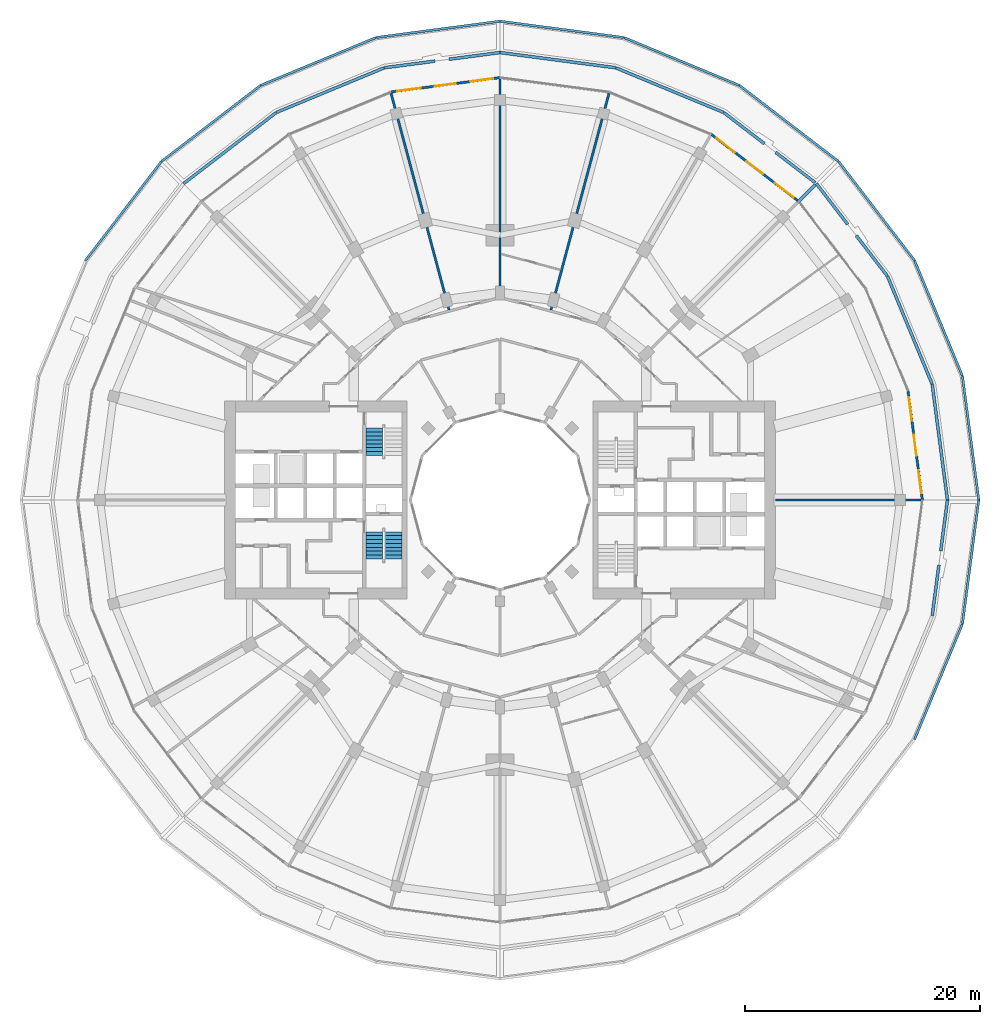
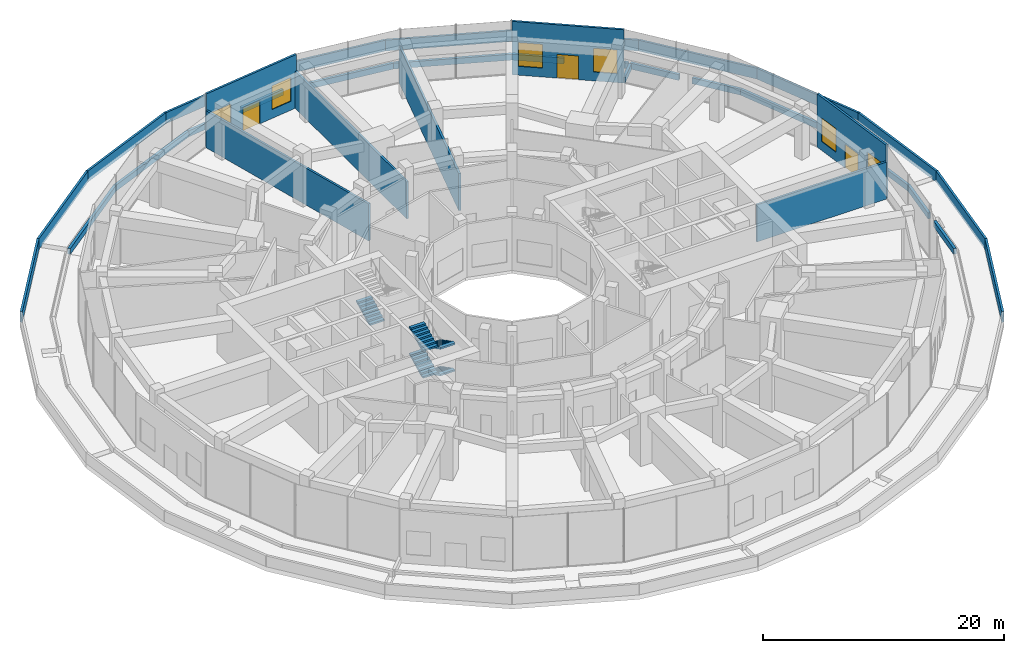
# One storey, part 23 of 26: 34 walls, 6 windows, 5 stair flights, 3 doors, 9 openings, 2 elements without a shape of their own.
"""IFC4 building model written with IfcOpenShell, lengths in metres."""

import ifcopenshell
import ifcopenshell.guid

model = None  # the IFC model being written
_history = None  # IfcOwnerHistory: only IFC2X3 demands one
_inside = {}  # id of a spatial element -> (the spatial element, [elements in it])
_under = {}  # id of a project, library or spatial element -> (it, [spatial elements below it])
_declared = {}  # id of a project -> (the project, [libraries it declares])
_typed = {}  # id of a type object -> (the type object, [elements of that type])
_made_of = {}  # id of a material, layer set ... -> (it, [elements and type objects made of it])


def new_model(schema):
    """Start an empty IFC model of exactly this schema.

    Asked for "IFC4X3", IfcOpenShell would pick the latest addendum, in which some entities
    have other attributes; the version numbers below select the first issue.
    IFC2X3 requires an IfcOwnerHistory on every rooted entity: one is made here for all.
    """
    global model, _history
    if schema == "IFC4X3":
        model = ifcopenshell.file(schema_version=(4, 3, 0, 0))
    else:
        model = ifcopenshell.file(schema=schema)
    _inside.clear()
    _under.clear()
    _declared.clear()
    _typed.clear()
    _made_of.clear()
    _history = None
    if model.schema == "IFC2X3":
        org = make("IfcOrganization", Name="unknown")
        user = make(
            "IfcPersonAndOrganization",
            ThePerson=make("IfcPerson", FamilyName="unknown"),
            TheOrganization=org,
        )
        app = make(
            "IfcApplication",
            ApplicationDeveloper=org,
            Version="unknown",
            ApplicationFullName="unknown",
            ApplicationIdentifier="unknown",
        )
        _history = make(
            "IfcOwnerHistory",
            OwningUser=user,
            OwningApplication=app,
            ChangeAction="ADDED",
            CreationDate=0,
        )
    return model


def make(cls, **values):
    """One entity of the class cls with the attributes given. An attribute that is None is left unset."""
    return model.create_entity(
        cls, **{name: value for name, value in values.items() if value is not None}
    )


def rooted(cls, **values):
    """An entity with a GlobalId (a new one), such as an element, a storey or a relation."""
    return make(cls, GlobalId=ifcopenshell.guid.new(), OwnerHistory=_history, **values)


def si_unit(unit_type, name, prefix=None):
    """IfcSIUnit, for example si_unit("LENGTHUNIT", "METRE", prefix="MILLI")."""
    return make("IfcSIUnit", UnitType=unit_type, Prefix=prefix, Name=name)


def assignment(units):
    """IfcUnitAssignment: the units of a project."""
    return None if units is None else make("IfcUnitAssignment", Units=units)


def point(xyz):
    """IfcCartesianPoint."""
    return None if xyz is None else make("IfcCartesianPoint", Coordinates=xyz)


def direction(xyz):
    """IfcDirection."""
    return None if xyz is None else make("IfcDirection", DirectionRatios=xyz)


def frame(location, z_axis=None, x_axis=None):
    """IfcAxis2Placement3D, a coordinate frame: its origin and axes. An axis left out is left unset."""
    return make(
        "IfcAxis2Placement3D",
        Location=point(location),
        Axis=direction(z_axis),
        RefDirection=direction(x_axis),
    )


def frame_2d(location, x_axis=None):
    """IfcAxis2Placement2D, a coordinate frame in the plane: its origin and x axis."""
    return make(
        "IfcAxis2Placement2D", Location=point(location), RefDirection=direction(x_axis)
    )


def origin():
    """The frame at (0, 0, 0) with its axes left unset."""
    return frame((0.0, 0.0, 0.0))


def place(relative_to, where):
    """IfcLocalPlacement: puts the frame where relative to a parent placement (None: the world)."""
    return make(
        "IfcLocalPlacement", PlacementRelTo=relative_to, RelativePlacement=where
    )


def context(
    kind, dimensions, precision=None, world=None, true_north=None, identifier=None
):
    """IfcGeometricRepresentationContext, for example the 3D "Model" context."""
    return make(
        "IfcGeometricRepresentationContext",
        ContextIdentifier=identifier,
        ContextType=kind,
        CoordinateSpaceDimension=dimensions,
        Precision=precision,
        WorldCoordinateSystem=world,
        TrueNorth=true_north,
    )


def subcontext(parent, identifier, kind, view, scale=None):
    """IfcGeometricRepresentationSubContext, for example "Body" below "Model"."""
    return make(
        "IfcGeometricRepresentationSubContext",
        ContextIdentifier=identifier,
        ContextType=kind,
        ParentContext=parent,
        TargetScale=scale,
        TargetView=view,
    )


def project(units=None, contexts=None):
    """IfcProject with its units and contexts."""
    return rooted(
        "IfcProject",
        Name="project",
        RepresentationContexts=contexts,
        UnitsInContext=assignment(units),
    )


def spatial(cls, under=None, at=None, **own):
    """A site, building, storey or space (cls), placed at a placement, below another one or the project."""
    s = rooted(cls, ObjectPlacement=at, **own)
    if under is not None:
        _under.setdefault(under.id(), (under, []))[1].append(s)
    return s


def polyline(points):
    """IfcPolyline through the points."""
    return make("IfcPolyline", Points=[point(p) for p in points])


def profile(cls, at=None, kind="AREA", **sizes):
    """A parametric profile (cls). Its sizes go by their IFC names, for example OverallWidth=200.0."""
    return make(cls, ProfileType=kind, Position=at, **sizes)


def rectangle(**sizes):
    """IfcRectangleProfileDef."""
    return profile("IfcRectangleProfileDef", **sizes)


def outline(outer, holes=None, kind="AREA"):
    """IfcArbitraryClosedProfileDef: a profile drawn as a closed curve; with holes, ...WithVoids."""
    if holes is None:
        return make("IfcArbitraryClosedProfileDef", ProfileType=kind, OuterCurve=outer)
    return make(
        "IfcArbitraryProfileDefWithVoids",
        ProfileType=kind,
        OuterCurve=outer,
        InnerCurves=holes,
    )


def extrude(swept, where, along, depth):
    """IfcExtrudedAreaSolid: the profile swept, set in the frame where, extruded along a direction by depth."""
    return make(
        "IfcExtrudedAreaSolid",
        SweptArea=swept,
        Position=where,
        ExtrudedDirection=direction(along),
        Depth=depth,
    )


def shape(context_of_items, identifier, shape_type, items):
    """IfcShapeRepresentation: the items that make up one representation, for example the "Body"."""
    return make(
        "IfcShapeRepresentation",
        ContextOfItems=context_of_items,
        RepresentationIdentifier=identifier,
        RepresentationType=shape_type,
        Items=items,
    )


def material(Name=None, Category=None):
    """IfcMaterial."""
    return make("IfcMaterial", Name=Name, Category=Category)


def layer(
    of_material, thickness, ventilated=None, Name=None, Category=None, Priority=None
):
    """IfcMaterialLayer: one layer of a wall or slab, of a material (None: an air gap)."""
    return make(
        "IfcMaterialLayer",
        Material=of_material,
        LayerThickness=thickness,
        IsVentilated=ventilated,
        Name=Name,
        Category=Category,
        Priority=Priority,
    )


def layer_set(layers, Name=None):
    """IfcMaterialLayerSet."""
    return make("IfcMaterialLayerSet", MaterialLayers=layers, LayerSetName=Name)


def made_of(thing, what):
    """Note that an element or type object is made of a material, layer set ...; save() writes the relation."""
    if what is not None:
        _made_of.setdefault(what.id(), (what, []))[1].append(thing)
    return thing


def type_object(cls, material=None, **own):
    """A type object (cls), such as IfcWallType, which elements share."""
    return made_of(rooted(cls, **own), material)


def element(
    cls,
    number,
    at=None,
    inside=None,
    cuts=None,
    type_object=None,
    material=None,
    context=None,
    identifier="Body",
    shape_type=None,
    held_by="IfcProductDefinitionShape",
    body=None,
    shapes=None,
    **own,
):
    """One element of the class cls, such as IfcWall. Its Tag is "e" and its number.

    at: its placement. inside: the storey or other place that contains it. cuts: it is an
    opening in that element (IfcRelVoidsElement). A single representation is given by context,
    identifier, shape_type and body (its items); several are given by shapes. held_by: the class
    of the entity that holds the representations. save() writes the other relations.
    """
    e = rooted(cls, Tag="e%d" % number, ObjectPlacement=at, **own)
    if body is not None:
        shapes = [shape(context, identifier, shape_type, body)]
    if shapes is not None:
        e.Representation = make(held_by, Representations=shapes)
    if inside is not None:
        _inside.setdefault(inside.id(), (inside, []))[1].append(e)
    if cuts is not None:
        rooted(
            "IfcRelVoidsElement", RelatingBuildingElement=cuts, RelatedOpeningElement=e
        )
    if type_object is not None:
        _typed.setdefault(type_object.id(), (type_object, []))[1].append(e)
    return made_of(e, material)


def fill(opening, filler):
    """IfcRelFillsElement: the door or window that sits in an opening."""
    return rooted(
        "IfcRelFillsElement",
        RelatingOpeningElement=opening,
        RelatedBuildingElement=filler,
    )


def aggregate(whole, parts):
    """IfcRelAggregates: a whole, such as a stair, and the parts it consists of."""
    return rooted("IfcRelAggregates", RelatingObject=whole, RelatedObjects=parts)


def save(model, path):
    """Write the relations noted so far, then the file.

    IfcRelAggregates (storeys below a building ...), IfcRelContainedInSpatialStructure (elements
    in a storey), IfcRelDefinesByType, IfcRelAssociatesMaterial and IfcRelDeclares: one each for
    every whole, place, type object, material and project.
    """
    for whole, parts in _under.values():
        aggregate(whole, parts)
    for where, things in _inside.values():
        rooted(
            "IfcRelContainedInSpatialStructure",
            RelatedElements=things,
            RelatingStructure=where,
        )
    for kind, things in _typed.values():
        rooted("IfcRelDefinesByType", RelatedObjects=things, RelatingType=kind)
    for what, things in _made_of.values():
        rooted("IfcRelAssociatesMaterial", RelatedObjects=things, RelatingMaterial=what)
    for by, libraries in _declared.values():
        rooted("IfcRelDeclares", RelatingContext=by, RelatedDefinitions=libraries)
    model.write(path)


model = new_model("IFC4")

# Units and contexts
model_context = context("Model", 3, precision=1e-05, world=origin(), true_north=direction((0.0, 1.0)))
body_context = subcontext(model_context, "Body", "Model", "MODEL_VIEW")
ifc_project = project(units=[si_unit("LENGTHUNIT", "METRE"), si_unit("AREAUNIT", "SQUARE_METRE"), si_unit("VOLUMEUNIT", "CUBIC_METRE"), si_unit("PLANEANGLEUNIT", "RADIAN"), si_unit("MASSUNIT", "GRAM", prefix="KILO")], contexts=[model_context])

# Site, building, storey
site_placement = place(None, origin())
site = spatial("IfcSite", under=ifc_project, at=site_placement, CompositionType="ELEMENT")
building_placement = place(site_placement, origin())
building = spatial("IfcBuilding", under=site, at=building_placement, Name="Torre Brocal", CompositionType="ELEMENT")
storey_placement = place(building_placement, frame((0.0, 0.0, 12.39990234375)))
storey = spatial("IfcBuildingStorey", under=building, at=storey_placement, Name="L02", CompositionType="ELEMENT", Elevation=12.39990234375)

# Wall, openings, windows, door
ifc_material_1 = material(Name="Concrete C40", Category="concrete")
ifc_layer_1 = layer(ifc_material_1, 0.199951171875)
ifc_layer_set_1 = layer_set([ifc_layer_1], Name="Concrete C40")
wall_type_1 = type_object("IfcWallType", Name="EXTERNAL WALL 200", PredefinedType="NOTDEFINED", material=ifc_layer_set_1)
wall_1_placement = place(storey_placement, frame((115.899169921875, 75.0, 0.0), z_axis=(0.0, 0.0, 1.0), x_axis=(-0.130518532918, 0.99144586971, 0.0)))
wall_1 = element("IfcWall", 1, at=wall_1_placement, inside=storey, type_object=wall_type_1, Name="EXTERNAL WALL", PredefinedType="NOTDEFINED", context=body_context, shape_type="SweptSolid", body=[
    extrude(rectangle(XDim=9.371337890625, YDim=0.199951171875, at=frame_2d((4.685546875, 0.0))), origin(), (0.0, 0.0, 1.0), 5.400146484375),
])
opening_1_placement = place(wall_1_placement, frame((0.56201171875, 0.0, 0.89990234375)))
opening_1 = element("IfcOpeningElement", 2, at=opening_1_placement, cuts=wall_1, Name="Opening W2", PredefinedType="OPENING", context=body_context, shape_type="SweptSolid", body=[
    extrude(rectangle(XDim=2.0, YDim=2.39990234375, at=frame_2d((1.0, 1.199951171875))), frame((0.0, 0.10986328125, 0.0), z_axis=(0.0, -1.0, 0.0), x_axis=(1.0, 0.0, 0.0)), (0.0, 0.0, 1.0), 0.219970703125),
])
opening_2_placement = place(wall_1_placement, frame((3.785888671875, 0.0, 0.0)))
opening_2 = element("IfcOpeningElement", 3, at=opening_2_placement, cuts=wall_1, Name="Opening L02-E01", PredefinedType="OPENING", context=body_context, shape_type="SweptSolid", body=[
    extrude(rectangle(XDim=1.800048828125, YDim=2.39990234375, at=frame_2d((0.89990234375, 1.199951171875))), frame((0.0, 0.10986328125, 0.0), z_axis=(0.0, -1.0, 0.0), x_axis=(1.0, 0.0, 0.0)), (0.0, 0.0, 1.0), 0.219970703125),
])
opening_3_placement = place(wall_1_placement, frame((6.8095703125, 0.0, 0.89990234375)))
opening_3 = element("IfcOpeningElement", 4, at=opening_3_placement, cuts=wall_1, Name="Opening W2", PredefinedType="OPENING", context=body_context, shape_type="SweptSolid", body=[
    extrude(rectangle(XDim=2.0, YDim=2.39990234375, at=frame_2d((1.0, 1.199951171875))), frame((0.0, 0.10986328125, 0.0), z_axis=(0.0, -1.0, 0.0), x_axis=(1.0, 0.0, 0.0)), (0.0, 0.0, 1.0), 0.219970703125),
])
ifc_material_2 = material(Name="Aluminium and glass", Category="aluminium")
window_type = type_object("IfcWindowType", Name="PODIUM WINDOW 2000X2400", PartitioningType="SINGLE_PANEL", PredefinedType="WINDOW", material=ifc_material_2)
window_1_placement = place(opening_1_placement, origin())
window_1 = element("IfcWindow", 5, at=window_1_placement, inside=storey, type_object=window_type, Name="PODIUM WINDOW 2000X2400", OverallHeight=2.39990234375, OverallWidth=2.0, PartitioningType="SINGLE_PANEL", PredefinedType="WINDOW", context=body_context, shape_type="SweptSolid", body=[
    extrude(rectangle(XDim=2.0, YDim=2.39990234375, at=frame_2d((1.0, 1.199951171875))), frame((0.0, 0.030029296875, 0.0), z_axis=(0.0, -1.0, 0.0), x_axis=(1.0, 0.0, 0.0)), (0.0, 0.0, 1.0), 0.06005859375),
])
fill(opening_1, window_1)
window_2_placement = place(opening_3_placement, origin())
window_2 = element("IfcWindow", 6, at=window_2_placement, inside=storey, type_object=window_type, Name="PODIUM WINDOW 2000X2400", OverallHeight=2.39990234375, OverallWidth=2.0, PartitioningType="SINGLE_PANEL", PredefinedType="WINDOW", context=body_context, shape_type="SweptSolid", body=[
    extrude(rectangle(XDim=2.0, YDim=2.39990234375, at=frame_2d((1.0, 1.199951171875))), frame((0.0, 0.030029296875, 0.0), z_axis=(0.0, -1.0, 0.0), x_axis=(1.0, 0.0, 0.0)), (0.0, 0.0, 1.0), 0.06005859375),
])
fill(opening_3, window_2)
ifc_material_3 = material(Name="Aluminium and glass", Category="aluminium")
door_type = type_object("IfcDoorType", Name="TERRACE DOUBLE DOOR 1800X2400", OperationType="DOUBLE_DOOR_SINGLE_SWING", PredefinedType="DOOR", material=ifc_material_3)
door_1_placement = place(opening_2_placement, frame((1.800048828125, 0.0, 0.0), z_axis=(0.0, 0.0, 1.0), x_axis=(-1.0, 0.0, 0.0)))
door_1 = element("IfcDoor", 7, at=door_1_placement, inside=storey, type_object=door_type, Name="DOOR L02-E01", OperationType="DOUBLE_DOOR_SINGLE_SWING", OverallHeight=2.39990234375, OverallWidth=1.800048828125, PredefinedType="DOOR", context=body_context, shape_type="SweptSolid", body=[
    extrude(rectangle(XDim=1.800048828125, YDim=2.39990234375, at=frame_2d((0.89990234375, 1.199951171875))), frame((0.0, 0.02490234375, 0.0), z_axis=(0.0, -1.0, 0.0), x_axis=(1.0, 0.0, 0.0)), (0.0, 0.0, 1.0), 0.050048828125),
])
fill(opening_2, door_1)

wall_2_placement = place(storey_placement, frame((105.384521484375, 100.384521484375, 0.0), z_axis=(0.0, 0.0, 1.0), x_axis=(-0.793355555811, 0.608758541676, 0.0)))
wall_2 = element("IfcWall", 8, at=wall_2_placement, inside=storey, type_object=wall_type_1, Name="EXTERNAL WALL", PredefinedType="NOTDEFINED", context=body_context, shape_type="SweptSolid", body=[
    extrude(rectangle(XDim=9.37158203125, YDim=0.199951171875, at=frame_2d((4.685791015625, 0.0))), origin(), (0.0, 0.0, 1.0), 5.400146484375),
])
opening_4_placement = place(wall_2_placement, frame((0.56201171875, 0.0, 0.89990234375)))
opening_4 = element("IfcOpeningElement", 9, at=opening_4_placement, cuts=wall_2, Name="Opening W2", PredefinedType="OPENING", context=body_context, shape_type="SweptSolid", body=[
    extrude(rectangle(XDim=2.0, YDim=2.39990234375, at=frame_2d((1.0, 1.199951171875))), frame((0.0, 0.10986328125, 0.0), z_axis=(0.0, -1.0, 0.0), x_axis=(1.0, 0.0, 0.0)), (0.0, 0.0, 1.0), 0.219970703125),
])
opening_5_placement = place(wall_2_placement, frame((3.785888671875, 0.0, 0.0)))
opening_5 = element("IfcOpeningElement", 10, at=opening_5_placement, cuts=wall_2, Name="Opening L02-E02", PredefinedType="OPENING", context=body_context, shape_type="SweptSolid", body=[
    extrude(rectangle(XDim=1.800048828125, YDim=2.39990234375, at=frame_2d((0.89990234375, 1.199951171875))), frame((0.0, 0.10986328125, 0.0), z_axis=(0.0, -1.0, 0.0), x_axis=(1.0, 0.0, 0.0)), (0.0, 0.0, 1.0), 0.219970703125),
])
opening_6_placement = place(wall_2_placement, frame((6.8095703125, 0.0, 0.89990234375)))
opening_6 = element("IfcOpeningElement", 11, at=opening_6_placement, cuts=wall_2, Name="Opening W2", PredefinedType="OPENING", context=body_context, shape_type="SweptSolid", body=[
    extrude(rectangle(XDim=2.0, YDim=2.39990234375, at=frame_2d((1.0, 1.199951171875))), frame((0.0, 0.10986328125, 0.0), z_axis=(0.0, -1.0, 0.0), x_axis=(1.0, 0.0, 0.0)), (0.0, 0.0, 1.0), 0.219970703125),
])
window_3_placement = place(opening_4_placement, origin())
window_3 = element("IfcWindow", 12, at=window_3_placement, inside=storey, type_object=window_type, Name="PODIUM WINDOW 2000X2400", OverallHeight=2.39990234375, OverallWidth=2.0, PartitioningType="SINGLE_PANEL", PredefinedType="WINDOW", context=body_context, shape_type="SweptSolid", body=[
    extrude(rectangle(XDim=2.0, YDim=2.39990234375, at=frame_2d((1.0, 1.199951171875))), frame((0.0, 0.030029296875, 0.0), z_axis=(0.0, -1.0, 0.0), x_axis=(1.0, 0.0, 0.0)), (0.0, 0.0, 1.0), 0.06005859375),
])
fill(opening_4, window_3)
window_4_placement = place(opening_6_placement, origin())
window_4 = element("IfcWindow", 13, at=window_4_placement, inside=storey, type_object=window_type, Name="PODIUM WINDOW 2000X2400", OverallHeight=2.39990234375, OverallWidth=2.0, PartitioningType="SINGLE_PANEL", PredefinedType="WINDOW", context=body_context, shape_type="SweptSolid", body=[
    extrude(rectangle(XDim=2.0, YDim=2.39990234375, at=frame_2d((1.0, 1.199951171875))), frame((0.0, 0.030029296875, 0.0), z_axis=(0.0, -1.0, 0.0), x_axis=(1.0, 0.0, 0.0)), (0.0, 0.0, 1.0), 0.06005859375),
])
fill(opening_6, window_4)
door_2_placement = place(opening_5_placement, frame((1.800048828125, 0.0, 0.0), z_axis=(0.0, 0.0, 1.0), x_axis=(-1.0, 0.0, 0.0)))
door_2 = element("IfcDoor", 14, at=door_2_placement, inside=storey, type_object=door_type, Name="DOOR L02-E02", OperationType="DOUBLE_DOOR_SINGLE_SWING", OverallHeight=2.39990234375, OverallWidth=1.800048828125, PredefinedType="DOOR", context=body_context, shape_type="SweptSolid", body=[
    extrude(rectangle(XDim=1.800048828125, YDim=2.39990234375, at=frame_2d((0.89990234375, 1.199951171875))), frame((0.0, 0.02490234375, 0.0), z_axis=(0.0, -1.0, 0.0), x_axis=(1.0, 0.0, 0.0)), (0.0, 0.0, 1.0), 0.050048828125),
])
fill(opening_5, door_2)

wall_3_placement = place(storey_placement, frame((80.0, 110.899169921875, 0.0), z_axis=(0.0, 0.0, 1.0), x_axis=(-0.99144586971, -0.130518532918, 0.0)))
wall_3 = element("IfcWall", 15, at=wall_3_placement, inside=storey, type_object=wall_type_1, Name="EXTERNAL WALL", PredefinedType="NOTDEFINED", context=body_context, shape_type="SweptSolid", body=[
    extrude(rectangle(XDim=9.371337890625, YDim=0.199951171875, at=frame_2d((4.685546875, 0.0))), origin(), (0.0, 0.0, 1.0), 5.400146484375),
])
opening_7_placement = place(wall_3_placement, frame((0.56201171875, 0.0, 0.89990234375)))
opening_7 = element("IfcOpeningElement", 16, at=opening_7_placement, cuts=wall_3, Name="Opening W2", PredefinedType="OPENING", context=body_context, shape_type="SweptSolid", body=[
    extrude(rectangle(XDim=2.0, YDim=2.39990234375, at=frame_2d((1.0, 1.199951171875))), frame((0.0, 0.10986328125, 0.0), z_axis=(0.0, -1.0, 0.0), x_axis=(1.0, 0.0, 0.0)), (0.0, 0.0, 1.0), 0.219970703125),
])
opening_8_placement = place(wall_3_placement, frame((3.785888671875, 0.0, 0.0)))
opening_8 = element("IfcOpeningElement", 17, at=opening_8_placement, cuts=wall_3, Name="Opening L02-E03", PredefinedType="OPENING", context=body_context, shape_type="SweptSolid", body=[
    extrude(rectangle(XDim=1.800048828125, YDim=2.39990234375, at=frame_2d((0.89990234375, 1.199951171875))), frame((0.0, 0.10986328125, 0.0), z_axis=(0.0, -1.0, 0.0), x_axis=(1.0, 0.0, 0.0)), (0.0, 0.0, 1.0), 0.219970703125),
])
opening_9_placement = place(wall_3_placement, frame((6.8095703125, 0.0, 0.89990234375)))
opening_9 = element("IfcOpeningElement", 18, at=opening_9_placement, cuts=wall_3, Name="Opening W2", PredefinedType="OPENING", context=body_context, shape_type="SweptSolid", body=[
    extrude(rectangle(XDim=2.0, YDim=2.39990234375, at=frame_2d((1.0, 1.199951171875))), frame((0.0, 0.10986328125, 0.0), z_axis=(0.0, -1.0, 0.0), x_axis=(1.0, 0.0, 0.0)), (0.0, 0.0, 1.0), 0.219970703125),
])
window_5_placement = place(opening_7_placement, origin())
window_5 = element("IfcWindow", 19, at=window_5_placement, inside=storey, type_object=window_type, Name="PODIUM WINDOW 2000X2400", OverallHeight=2.39990234375, OverallWidth=2.0, PartitioningType="SINGLE_PANEL", PredefinedType="WINDOW", context=body_context, shape_type="SweptSolid", body=[
    extrude(rectangle(XDim=2.0, YDim=2.39990234375, at=frame_2d((1.0, 1.199951171875))), frame((0.0, 0.030029296875, 0.0), z_axis=(0.0, -1.0, 0.0), x_axis=(1.0, 0.0, 0.0)), (0.0, 0.0, 1.0), 0.06005859375),
])
fill(opening_7, window_5)
window_6_placement = place(opening_9_placement, origin())
window_6 = element("IfcWindow", 20, at=window_6_placement, inside=storey, type_object=window_type, Name="PODIUM WINDOW 2000X2400", OverallHeight=2.39990234375, OverallWidth=2.0, PartitioningType="SINGLE_PANEL", PredefinedType="WINDOW", context=body_context, shape_type="SweptSolid", body=[
    extrude(rectangle(XDim=2.0, YDim=2.39990234375, at=frame_2d((1.0, 1.199951171875))), frame((0.0, 0.030029296875, 0.0), z_axis=(0.0, -1.0, 0.0), x_axis=(1.0, 0.0, 0.0)), (0.0, 0.0, 1.0), 0.06005859375),
])
fill(opening_9, window_6)
door_3_placement = place(opening_8_placement, frame((1.800048828125, 0.0, 0.0), z_axis=(0.0, 0.0, 1.0), x_axis=(-1.0, 0.0, 0.0)))
door_3 = element("IfcDoor", 21, at=door_3_placement, inside=storey, type_object=door_type, Name="DOOR L02-E03", OperationType="DOUBLE_DOOR_SINGLE_SWING", OverallHeight=2.39990234375, OverallWidth=1.800048828125, PredefinedType="DOOR", context=body_context, shape_type="SweptSolid", body=[
    extrude(rectangle(XDim=1.800048828125, YDim=2.39990234375, at=frame_2d((0.89990234375, 1.199951171875))), frame((0.0, 0.02490234375, 0.0), z_axis=(0.0, -1.0, 0.0), x_axis=(1.0, 0.0, 0.0)), (0.0, 0.0, 1.0), 0.050048828125),
])
fill(opening_8, door_3)

# Walls
ifc_material_4 = material(Name="Concrete C40", Category="concrete")
ifc_layer_2 = layer(ifc_material_4, 0.199951171875)
ifc_layer_set_2 = layer_set([ifc_layer_2], Name="Concrete C40")
wall_type_2 = type_object("IfcWallType", Name="PARAPET WALL 200 THICK 1100 HIGH", PredefinedType="PARAPET", material=ifc_layer_set_2)
wall_4_placement = place(storey_placement, frame((120.697509765625, 75.0, 0.0), z_axis=(0.0, 0.0, 1.0), x_axis=(-0.130525337927, -0.991444973843, 0.0)))
element("IfcWall", 22, at=wall_4_placement, inside=storey, type_object=wall_type_2, Name="PARAPET WALL 1", PredefinedType="PARAPET", context=body_context, shape_type="SweptSolid", body=[
    extrude(rectangle(XDim=10.611083984375, YDim=0.199951171875, at=frame_2d((5.3056640625, 0.0))), origin(), (0.0, 0.0, 1.0), 1.10009765625),
])
wall_5_placement = place(storey_placement, frame((119.3056640625, 64.45458984375, 0.0), z_axis=(0.0, 0.0, 1.0), x_axis=(-0.382690890544, -0.923876443197, 0.0)))
element("IfcWall", 23, at=wall_5_placement, inside=storey, type_object=wall_type_2, Name="PARAPET WALL 2", PredefinedType="PARAPET", context=body_context, shape_type="SweptSolid", body=[
    extrude(rectangle(XDim=10.59765625, YDim=0.199951171875, at=frame_2d((5.298828125, 0.0))), origin(), (0.0, 0.0, 1.0), 1.10009765625),
])
for number, where, z_axis, x_axis, name in (
    (24, (44.762939453125, 95.359130859375, 0.0), (0.0, 0.0, 1.0), (0.608761803977, 0.793353052568, 0.0), "PARAPET WALL 15"),
    (25, (51.23291015625, 103.785400390625, 0.0), (0.0, 0.0, 1.0), (0.793353052568, 0.608761803977, 0.0), "PARAPET WALL 16"),
):
    element("IfcWall", number, at=place(storey_placement, frame(where, z_axis=z_axis, x_axis=x_axis)), inside=storey, type_object=wall_type_2, Name=name, PredefinedType="PARAPET", context=body_context, shape_type="SweptSolid", body=[
        extrude(rectangle(XDim=10.597900390625, YDim=0.199951171875, at=frame_2d((5.298828125, 0.0))), origin(), (0.0, 0.0, 1.0), 1.10009765625),
    ])
wall_6_placement = place(storey_placement, frame((59.66357421875, 110.25, 0.0), z_axis=(0.0, 0.0, 1.0), x_axis=(0.923876443197, 0.382690890544, 0.0)))
element("IfcWall", 26, at=wall_6_placement, inside=storey, type_object=wall_type_2, Name="PARAPET WALL 17", PredefinedType="PARAPET", context=body_context, shape_type="SweptSolid", body=[
    extrude(rectangle(XDim=10.59765625, YDim=0.199951171875, at=frame_2d((5.298828125, 0.0))), origin(), (0.0, 0.0, 1.0), 1.10009765625),
])
for number, where, z_axis, x_axis, name in (
    (27, (69.479736328125, 114.3125, 0.0), (0.0, 0.0, 1.0), (0.991445040811, 0.130524829249, 0.0), "PARAPET WALL 18"),
    (28, (80.012939453125, 115.69580078125, 0.0), (0.0, 0.0, 1.0), (0.991445040811, -0.130524829249, 0.0), "PARAPET WALL 19"),
):
    element("IfcWall", number, at=place(storey_placement, frame(where, z_axis=z_axis, x_axis=x_axis)), inside=storey, type_object=wall_type_2, Name=name, PredefinedType="PARAPET", context=body_context, shape_type="SweptSolid", body=[
        extrude(rectangle(XDim=10.597900390625, YDim=0.199951171875, at=frame_2d((5.298828125, 0.0))), origin(), (0.0, 0.0, 1.0), 1.10009765625),
    ])
wall_7_placement = place(storey_placement, frame((90.54541015625, 114.3056640625, 0.0), z_axis=(0.0, 0.0, 1.0), x_axis=(0.923876443197, -0.382690890544, 0.0)))
element("IfcWall", 29, at=wall_7_placement, inside=storey, type_object=wall_type_2, Name="PARAPET WALL 20", PredefinedType="PARAPET", context=body_context, shape_type="SweptSolid", body=[
    extrude(rectangle(XDim=10.59765625, YDim=0.199951171875, at=frame_2d((5.298828125, 0.0))), origin(), (0.0, 0.0, 1.0), 1.10009765625),
])
for number, where, z_axis, x_axis, name in (
    (30, (100.359130859375, 110.237060546875, 0.0), (0.0, 0.0, 1.0), (0.793353052568, -0.608761803977, 0.0), "PARAPET WALL 21"),
    (31, (108.785400390625, 103.76708984375, 0.0), (0.0, 0.0, 1.0), (0.608761803977, -0.793353052568, 0.0), "PARAPET WALL 22"),
):
    element("IfcWall", number, at=place(storey_placement, frame(where, z_axis=z_axis, x_axis=x_axis)), inside=storey, type_object=wall_type_2, Name=name, PredefinedType="PARAPET", context=body_context, shape_type="SweptSolid", body=[
        extrude(rectangle(XDim=10.597900390625, YDim=0.199951171875, at=frame_2d((5.298828125, 0.0))), origin(), (0.0, 0.0, 1.0), 1.10009765625),
    ])
wall_8_placement = place(storey_placement, frame((115.25, 95.33642578125, 0.0), z_axis=(0.0, 0.0, 1.0), x_axis=(0.382690890544, -0.923876443197, 0.0)))
element("IfcWall", 32, at=wall_8_placement, inside=storey, type_object=wall_type_2, Name="PARAPET WALL 23", PredefinedType="PARAPET", context=body_context, shape_type="SweptSolid", body=[
    extrude(rectangle(XDim=10.59765625, YDim=0.199951171875, at=frame_2d((5.298828125, 0.0))), origin(), (0.0, 0.0, 1.0), 1.10009765625),
])
wall_9_placement = place(storey_placement, frame((119.3125, 85.520263671875, 0.0), z_axis=(0.0, 0.0, 1.0), x_axis=(0.130525337927, -0.991444973843, 0.0)))
element("IfcWall", 33, at=wall_9_placement, inside=storey, type_object=wall_type_2, Name="PARAPET WALL 24", PredefinedType="PARAPET", context=body_context, shape_type="SweptSolid", body=[
    extrude(rectangle(XDim=10.611083984375, YDim=0.199951171875, at=frame_2d((5.3056640625, 0.0))), origin(), (0.0, 0.0, 1.0), 1.10009765625),
])
ifc_material_5 = material(Name="Gypsum board", Category="Gypsum")
ifc_layer_3 = layer(ifc_material_5, 0.199951171875)
ifc_layer_set_3 = layer_set([ifc_layer_3], Name="Gypsum board")
wall_type_3 = type_object("IfcWallType", Name="PARTITION 200 EI60 UNDER BEAM 1650", PredefinedType="PARTITIONING", material=ifc_layer_set_3)
wall_10_placement = place(storey_placement, frame((70.736572265625, 109.57861328125, 0.0), z_axis=(0.0, 0.0, 1.0), x_axis=(0.258776177531, -0.965937311601, 0.0)))
element("IfcWall", 34, at=wall_10_placement, inside=storey, type_object=wall_type_3, Name="PARTY PARTITION", PredefinedType="PARTITIONING", context=body_context, shape_type="SweptSolid", body=[
    extrude(rectangle(XDim=19.074462890625, YDim=0.199951171875, at=frame_2d((9.537109375, 0.0))), origin(), (0.0, 0.0, 1.0), 3.75),
])
wall_11_placement = place(storey_placement, frame((80.0, 92.300048828125, 0.0), z_axis=(0.0, 0.0, 1.0), x_axis=(0.0, 1.0, 0.0)))
element("IfcWall", 35, at=wall_11_placement, inside=storey, type_object=wall_type_3, Name="PARTY PARTITION", PredefinedType="PARTITIONING", context=body_context, shape_type="SweptSolid", body=[
    extrude(rectangle(XDim=18.498046875, YDim=0.199951171875, at=frame_2d((9.2490234375, 0.0))), origin(), (0.0, 0.0, 1.0), 3.75),
])
wall_12_placement = place(storey_placement, frame((84.328857421875, 91.1533203125, 0.0), z_axis=(0.0, 0.0, 1.0), x_axis=(0.258913936043, 0.965900395343, 0.0)))
element("IfcWall", 36, at=wall_12_placement, inside=storey, type_object=wall_type_3, Name="PARTY PARTITION", PredefinedType="PARTITIONING", context=body_context, shape_type="SweptSolid", body=[
    extrude(rectangle(XDim=19.07470703125, YDim=0.199951171875, at=frame_2d((9.537353515625, 0.0))), origin(), (0.0, 0.0, 1.0), 3.75),
])
wall_13_placement = place(storey_placement, frame((103.402099609375, 75.0, 0.0), z_axis=(0.0, 0.0, 1.0), x_axis=(1.0, 0.0, 0.0)))
element("IfcWall", 37, at=wall_13_placement, inside=storey, type_object=wall_type_3, Name="PLANT ROOM WALL", PredefinedType="PARTITIONING", context=body_context, shape_type="SweptSolid", body=[
    extrude(rectangle(XDim=12.393798828125, YDim=0.199951171875, at=frame_2d((6.19677734375, 0.0))), origin(), (0.0, 0.0, 1.0), 3.75),
])
ifc_material_6 = material(Name="Concrete C35", Category="concrete")
ifc_layer_4 = layer(ifc_material_6, 0.25)
ifc_layer_set_4 = layer_set([ifc_layer_4], Name="Concrete C35")
wall_type_4 = type_object("IfcWallType", Name="PLANTER WALL 250 THICK 600 HIGH", PredefinedType="USERDEFINED", material=ifc_layer_set_4)
wall_14_placement = place(storey_placement, frame((106.89306640625, 101.89306640625, 0.0), z_axis=(0.0, 0.0, 1.0), x_axis=(0.608753283374, -0.79335959059, 0.0)))
element("IfcWall", 38, at=wall_14_placement, inside=storey, type_object=wall_type_4, Name="PLANTER", ObjectType="PLANTER", PredefinedType="USERDEFINED", context=body_context, shape_type="SweptSolid", body=[
    extrude(rectangle(XDim=4.3642578125, YDim=0.25, at=frame_2d((2.18212890625, 0.0))), origin(), (0.0, 0.0, 1.0), 0.60009765625),
])
wall_15_placement = place(storey_placement, frame((110.2802734375, 97.478515625, 0.0), z_axis=(0.0, 0.0, 1.0), x_axis=(0.608768650261, -0.793347799177, 0.0)))
element("IfcWall", 39, at=wall_15_placement, inside=storey, type_object=wall_type_4, Name="PLANTER", ObjectType="PLANTER", PredefinedType="USERDEFINED", context=body_context, shape_type="SweptSolid", body=[
    extrude(rectangle(XDim=4.34765625, YDim=0.25, at=frame_2d((2.173828125, 0.0))), origin(), (0.0, 0.0, 1.0), 0.60009765625),
])
wall_16_placement = place(storey_placement, frame((112.943359375, 94.0009765625, 0.0), z_axis=(0.0, 0.0, 1.0), x_axis=(0.382682268453, -0.923880014619, 0.0)))
element("IfcWall", 40, at=wall_16_placement, inside=storey, type_object=wall_type_4, Name="PLANTER", ObjectType="PLANTER", PredefinedType="USERDEFINED", context=body_context, shape_type="SweptSolid", body=[
    extrude(rectangle(XDim=9.8955078125, YDim=0.25, at=frame_2d((4.94775390625, 0.0))), origin(), (0.0, 0.0, 1.0), 0.60009765625),
])
for number, where, z_axis, x_axis, name in (
    (41, (116.738525390625, 84.8271484375, 0.0), (0.0, 0.0, 1.0), (0.130543713086, -0.991442554551, 0.0), "PLANTER"),
    (42, (80.0, 113.032470703125, 0.0), (0.0, 0.0, 1.0), (0.991442554551, -0.130543713086, 0.0), "PLANTER"),
):
    element("IfcWall", number, at=place(storey_placement, frame(where, z_axis=z_axis, x_axis=x_axis)), inside=storey, type_object=wall_type_4, Name=name, ObjectType="PLANTER", PredefinedType="USERDEFINED", context=body_context, shape_type="SweptSolid", body=[
        extrude(rectangle(XDim=9.911865234375, YDim=0.25, at=frame_2d((4.9560546875, 0.0))), origin(), (0.0, 0.0, 1.0), 0.60009765625),
    ])
wall_17_placement = place(storey_placement, frame((89.858642578125, 111.730224609375, 0.0), z_axis=(0.0, 0.0, 1.0), x_axis=(0.923880014619, -0.382682268453, 0.0)))
element("IfcWall", 43, at=wall_17_placement, inside=storey, type_object=wall_type_4, Name="PLANTER", ObjectType="PLANTER", PredefinedType="USERDEFINED", context=body_context, shape_type="SweptSolid", body=[
    extrude(rectangle(XDim=9.8955078125, YDim=0.25, at=frame_2d((4.94775390625, 0.0))), origin(), (0.0, 0.0, 1.0), 0.60009765625),
])
wall_18_placement = place(storey_placement, frame((99.029296875, 107.927001953125, 0.0), z_axis=(0.0, 0.0, 1.0), x_axis=(0.793347799177, -0.608768650261, 0.0)))
element("IfcWall", 44, at=wall_18_placement, inside=storey, type_object=wall_type_4, Name="PLANTER", ObjectType="PLANTER", PredefinedType="USERDEFINED", context=body_context, shape_type="SweptSolid", body=[
    extrude(rectangle(XDim=4.34765625, YDim=0.25, at=frame_2d((2.173828125, 0.0))), origin(), (0.0, 0.0, 1.0), 0.60009765625),
])
wall_19_placement = place(storey_placement, frame((103.4306640625, 104.5498046875, 0.0), z_axis=(0.0, 0.0, 1.0), x_axis=(0.793330761393, -0.608790853272, 0.0)))
element("IfcWall", 45, at=wall_19_placement, inside=storey, type_object=wall_type_4, Name="PLANTER", ObjectType="PLANTER", PredefinedType="USERDEFINED", context=body_context, shape_type="SweptSolid", body=[
    extrude(rectangle(XDim=4.2216796875, YDim=0.25, at=frame_2d((2.11083984375, 0.0))), origin(), (0.0, 0.0, 1.0), 0.60009765625),
])
wall_20_placement = place(storey_placement, frame((106.792236328125, 101.792236328125, 0.0), z_axis=(0.0, 0.0, 1.0), x_axis=(-0.707106781187, -0.707106781187, 0.0)))
element("IfcWall", 46, at=wall_20_placement, inside=storey, type_object=wall_type_4, Name="PLANTER", ObjectType="PLANTER", PredefinedType="USERDEFINED", context=body_context, shape_type="SweptSolid", body=[
    extrude(rectangle(XDim=2.091552734375, YDim=0.25, at=frame_2d((1.0458984375, 0.0))), origin(), (0.0, 0.0, 1.0), 0.60009765625),
])
wall_21_placement = place(storey_placement, frame((53.10693359375, 101.89306640625, 0.0), z_axis=(0.0, 0.0, 1.0), x_axis=(0.793360504872, 0.608752091832, 0.0)))
element("IfcWall", 47, at=wall_21_placement, inside=storey, type_object=wall_type_4, Name="PLANTER", ObjectType="PLANTER", PredefinedType="USERDEFINED", context=body_context, shape_type="SweptSolid", body=[
    extrude(rectangle(XDim=9.911865234375, YDim=0.25, at=frame_2d((4.9560546875, 0.0))), origin(), (0.0, 0.0, 1.0), 0.60009765625),
])
wall_22_placement = place(storey_placement, frame((60.9990234375, 107.943359375, 0.0), z_axis=(0.0, 0.0, 1.0), x_axis=(0.923880014619, 0.382682268453, 0.0)))
element("IfcWall", 48, at=wall_22_placement, inside=storey, type_object=wall_type_4, Name="PLANTER", ObjectType="PLANTER", PredefinedType="USERDEFINED", context=body_context, shape_type="SweptSolid", body=[
    extrude(rectangle(XDim=9.8955078125, YDim=0.25, at=frame_2d((4.94775390625, 0.0))), origin(), (0.0, 0.0, 1.0), 0.60009765625),
])
wall_23_placement = place(storey_placement, frame((70.1728515625, 111.738525390625, 0.0), z_axis=(0.0, 0.0, 1.0), x_axis=(0.991440911418, 0.130556191609, 0.0)))
element("IfcWall", 49, at=wall_23_placement, inside=storey, type_object=wall_type_4, Name="PLANTER", ObjectType="PLANTER", PredefinedType="USERDEFINED", context=body_context, shape_type="SweptSolid", body=[
    extrude(rectangle(XDim=4.34765625, YDim=0.25, at=frame_2d((2.173828125, 0.0))), origin(), (0.0, 0.0, 1.0), 0.60009765625),
])
for number, where, z_axis, x_axis, name in (
    (50, (75.673095703125, 112.462646484375, 0.0), (0.0, 0.0, 1.0), (0.991439628134, 0.13056593647, 0.0), "PLANTER"),
    (51, (118.032470703125, 75.0, 0.0), (0.0, 0.0, 1.0), (-0.13056593647, -0.991439628134, 0.0), "PLANTER"),
):
    element("IfcWall", number, at=place(storey_placement, frame(where, z_axis=z_axis, x_axis=x_axis)), inside=storey, type_object=wall_type_4, Name=name, ObjectType="PLANTER", PredefinedType="USERDEFINED", context=body_context, shape_type="SweptSolid", body=[
        extrude(rectangle(XDim=4.3642578125, YDim=0.25, at=frame_2d((2.18212890625, 0.0))), origin(), (0.0, 0.0, 1.0), 0.60009765625),
    ])
wall_24_placement = place(storey_placement, frame((117.30615234375, 69.4833984375, 0.0), z_axis=(0.0, 0.0, 1.0), x_axis=(-0.130556191609, -0.991440911418, 0.0)))
element("IfcWall", 52, at=wall_24_placement, inside=storey, type_object=wall_type_4, Name="PLANTER", ObjectType="PLANTER", PredefinedType="USERDEFINED", context=body_context, shape_type="SweptSolid", body=[
    extrude(rectangle(XDim=4.34765625, YDim=0.25, at=frame_2d((2.173828125, 0.0))), origin(), (0.0, 0.0, 1.0), 0.60009765625),
])

# Stair, stair flights
ifc_material_7 = material(Name="Concrete C50", Category="concrete")
stair_type = type_object("IfcStairType", Name="EXIT STAIR", PredefinedType="HALF_TURN_STAIR", material=ifc_material_7)
stair_1_placement = place(storey_placement, origin())
stair_1 = element("IfcStair", 53, at=stair_1_placement, inside=storey, type_object=stair_type, Name="EXIT STAIR ST3", PredefinedType="HALF_TURN_STAIR")
ifc_material_8 = material(Name="Concrete C50", Category="concrete")
ifc_layer_5 = layer(ifc_material_8, 0.14990234375)
ifc_layer_set_5 = layer_set([ifc_layer_5], Name="Concrete C50")
stair_flight_type = type_object("IfcStairFlightType", Name="STAIR FLIGHT", PredefinedType="STRAIGHT", material=ifc_layer_set_5)
stair_flight_1_placement = place(storey_placement, frame((70.949951171875, 72.300048828125, 0.0), z_axis=(0.0, 0.0, 1.0), x_axis=(0.0, -1.0, 0.0)))
stair_flight_1 = element("IfcStairFlight", 54, at=stair_flight_1_placement, type_object=stair_flight_type, Name="ST3 flight 1", NumberOfRisers=8, NumberOfTreads=7, PredefinedType="STRAIGHT", RiserHeight=0.16875, TreadLength=0.33, context=body_context, shape_type="SweptSolid", body=[
    extrude(outline(polyline([(0.0, 0.0), (0.0, 0.168701171875), (0.330078125, 0.168701171875), (0.330078125, 0.33740234375), (0.659912109375, 0.33740234375), (0.659912109375, 0.50634765625), (0.989990234375, 0.50634765625), (0.989990234375, 0.675048828125), (1.320068359375, 0.675048828125), (1.320068359375, 0.84375), (1.64990234375, 0.84375), (1.64990234375, 1.012451171875), (1.97998046875, 1.012451171875), (1.97998046875, 1.18115234375), (2.31005859375, 1.18115234375), (2.31005859375, 1.35009765625), (2.31005859375, 1.012939453125), (0.329345703125, 0.0), (0.0, 0.0)])), frame((0.0, 0.699951171875, 0.0), z_axis=(0.0, -1.0, 0.0), x_axis=(1.0, 0.0, 0.0)), (0.0, 0.0, 1.0), 1.39990234375),
])
stair_flight_2_placement = place(storey_placement, frame((69.300048828125, 69.989990234375, 1.35009765625), z_axis=(0.0, 0.0, 1.0), x_axis=(0.0, 1.0, 0.0)))
stair_flight_2 = element("IfcStairFlight", 55, at=stair_flight_2_placement, type_object=stair_flight_type, Name="ST3 flight 2", NumberOfRisers=8, NumberOfTreads=7, PredefinedType="STRAIGHT", RiserHeight=0.16875, TreadLength=0.33, context=body_context, shape_type="SweptSolid", body=[
    extrude(outline(polyline([(0.0, 0.0), (0.0, 0.168701171875), (0.330078125, 0.168701171875), (0.330078125, 0.33740234375), (0.659912109375, 0.33740234375), (0.659912109375, 0.50634765625), (0.989990234375, 0.50634765625), (0.989990234375, 0.675048828125), (1.320068359375, 0.675048828125), (1.320068359375, 0.84375), (1.64990234375, 0.84375), (1.64990234375, 1.012451171875), (1.97998046875, 1.012451171875), (1.97998046875, 1.18115234375), (2.31005859375, 1.18115234375), (2.31005859375, 1.35009765625), (2.31005859375, 1.012939453125), (0.329345703125, 0.0), (0.0, 0.0)])), frame((0.0, 0.699951171875, 0.0), z_axis=(0.0, -1.0, 0.0), x_axis=(1.0, 0.0, 0.0)), (0.0, 0.0, 1.0), 1.39990234375),
])
stair_flight_3_placement = place(storey_placement, frame((70.949951171875, 72.300048828125, 2.7001953125), z_axis=(0.0, 0.0, 1.0), x_axis=(0.0, -1.0, 0.0)))
stair_flight_3 = element("IfcStairFlight", 56, at=stair_flight_3_placement, type_object=stair_flight_type, Name="ST3 flight 3", NumberOfRisers=8, NumberOfTreads=7, PredefinedType="STRAIGHT", RiserHeight=0.16875, TreadLength=0.33, context=body_context, shape_type="SweptSolid", body=[
    extrude(outline(polyline([(0.0, 0.0), (0.0, 0.168701171875), (0.330078125, 0.168701171875), (0.330078125, 0.33740234375), (0.659912109375, 0.33740234375), (0.659912109375, 0.50634765625), (0.989990234375, 0.50634765625), (0.989990234375, 0.675048828125), (1.320068359375, 0.675048828125), (1.320068359375, 0.84375), (1.64990234375, 0.84375), (1.64990234375, 1.012451171875), (1.97998046875, 1.012451171875), (1.97998046875, 1.18115234375), (2.31005859375, 1.18115234375), (2.31005859375, 1.35009765625), (2.31005859375, 1.012939453125), (0.329345703125, 0.0), (0.0, 0.0)])), frame((0.0, 0.699951171875, 0.0), z_axis=(0.0, -1.0, 0.0), x_axis=(1.0, 0.0, 0.0)), (0.0, 0.0, 1.0), 1.39990234375),
])
stair_flight_4_placement = place(storey_placement, frame((69.300048828125, 69.989990234375, 4.050048828125), z_axis=(0.0, 0.0, 1.0), x_axis=(0.0, 1.0, 0.0)))
stair_flight_4 = element("IfcStairFlight", 57, at=stair_flight_4_placement, type_object=stair_flight_type, Name="ST3 flight 4", NumberOfRisers=8, NumberOfTreads=7, PredefinedType="STRAIGHT", RiserHeight=0.16875, TreadLength=0.33, context=body_context, shape_type="SweptSolid", body=[
    extrude(outline(polyline([(0.0, 0.0), (0.0, 0.168701171875), (0.330078125, 0.168701171875), (0.330078125, 0.33740234375), (0.659912109375, 0.33740234375), (0.659912109375, 0.50634765625), (0.989990234375, 0.50634765625), (0.989990234375, 0.675048828125), (1.320068359375, 0.675048828125), (1.320068359375, 0.84375), (1.64990234375, 0.84375), (1.64990234375, 1.012451171875), (1.97998046875, 1.012451171875), (1.97998046875, 1.18115234375), (2.31005859375, 1.18115234375), (2.31005859375, 1.35009765625), (2.31005859375, 1.012939453125), (0.329345703125, 0.0), (0.0, 0.0)])), frame((0.0, 0.699951171875, 0.0), z_axis=(0.0, -1.0, 0.0), x_axis=(1.0, 0.0, 0.0)), (0.0, 0.0, 1.0), 1.39990234375),
])
aggregate(stair_1, [stair_flight_1, stair_flight_2, stair_flight_3, stair_flight_4])

# Stair, stair flight
stair_2_placement = place(storey_placement, origin())
stair_2 = element("IfcStair", 58, at=stair_2_placement, inside=storey, type_object=stair_type, Name="EXIT STAIR ST4", PredefinedType="HALF_TURN_STAIR")
stair_flight_5_placement = place(storey_placement, frame((69.300048828125, 78.7900390625, 1.35009765625), z_axis=(0.0, 0.0, 1.0), x_axis=(0.0, 1.0, 0.0)))
stair_flight_5 = element("IfcStairFlight", 59, at=stair_flight_5_placement, type_object=stair_flight_type, Name="ST4 flight 2", NumberOfRisers=8, NumberOfTreads=7, PredefinedType="STRAIGHT", RiserHeight=0.16875, TreadLength=0.33, context=body_context, shape_type="SweptSolid", body=[
    extrude(outline(polyline([(0.0, 0.0), (0.0, 0.168701171875), (0.330078125, 0.168701171875), (0.330078125, 0.33740234375), (0.659912109375, 0.33740234375), (0.659912109375, 0.50634765625), (0.989990234375, 0.50634765625), (0.989990234375, 0.675048828125), (1.320068359375, 0.675048828125), (1.320068359375, 0.84375), (1.64990234375, 0.84375), (1.64990234375, 1.012451171875), (1.97998046875, 1.012451171875), (1.97998046875, 1.18115234375), (2.31005859375, 1.18115234375), (2.31005859375, 1.35009765625), (2.31005859375, 1.012939453125), (0.329345703125, 0.0), (0.0, 0.0)])), frame((0.0, 0.699951171875, 0.0), z_axis=(0.0, -1.0, 0.0), x_axis=(1.0, 0.0, 0.0)), (0.0, 0.0, 1.0), 1.39990234375),
])
aggregate(stair_2, [stair_flight_5])

save(model, "model.ifc")
